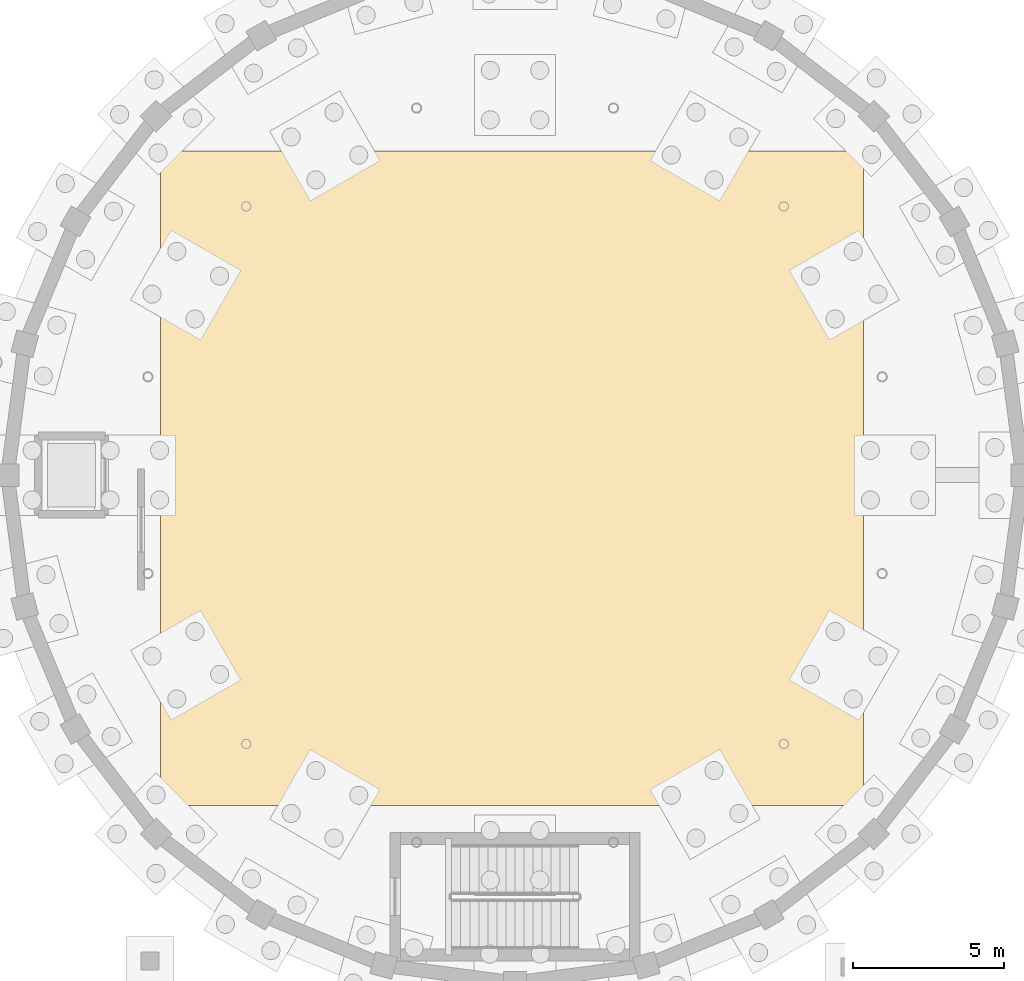
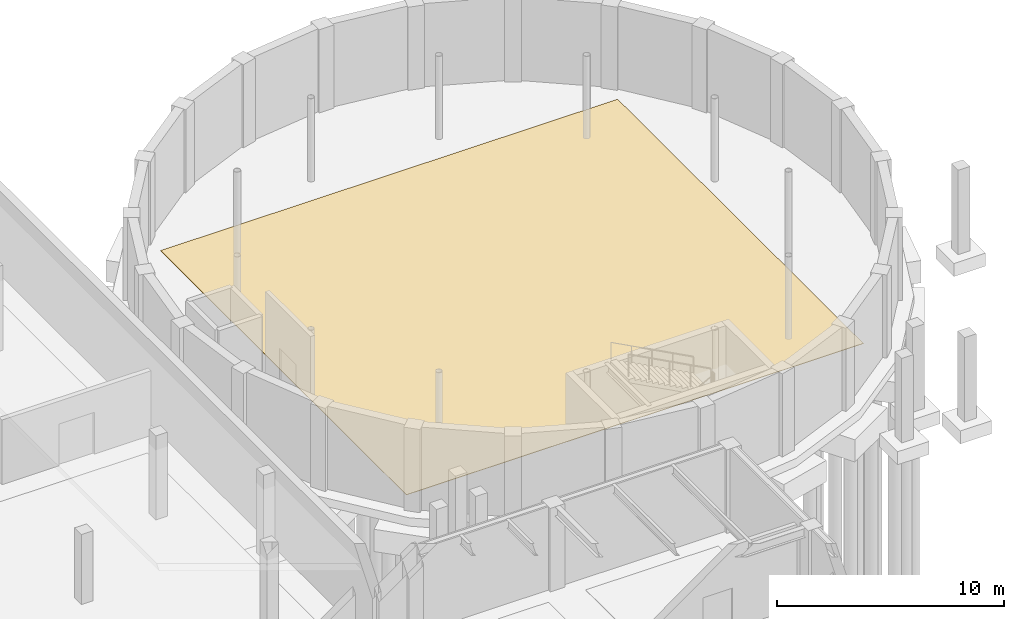
# One storey, part 25 of 26: 1 covering.
"""IFC4 building model written with IfcOpenShell, lengths in metres."""

import ifcopenshell
import ifcopenshell.guid

model = None  # the IFC model being written
_history = None  # IfcOwnerHistory: only IFC2X3 demands one
_inside = {}  # id of a spatial element -> (the spatial element, [elements in it])
_under = {}  # id of a project, library or spatial element -> (it, [spatial elements below it])
_declared = {}  # id of a project -> (the project, [libraries it declares])
_typed = {}  # id of a type object -> (the type object, [elements of that type])
_made_of = {}  # id of a material, layer set ... -> (it, [elements and type objects made of it])


def new_model(schema):
    """Start an empty IFC model of exactly this schema.

    Asked for "IFC4X3", IfcOpenShell would pick the latest addendum, in which some entities
    have other attributes; the version numbers below select the first issue.
    IFC2X3 requires an IfcOwnerHistory on every rooted entity: one is made here for all.
    """
    global model, _history
    if schema == "IFC4X3":
        model = ifcopenshell.file(schema_version=(4, 3, 0, 0))
    else:
        model = ifcopenshell.file(schema=schema)
    _inside.clear()
    _under.clear()
    _declared.clear()
    _typed.clear()
    _made_of.clear()
    _history = None
    if model.schema == "IFC2X3":
        org = make("IfcOrganization", Name="unknown")
        user = make(
            "IfcPersonAndOrganization",
            ThePerson=make("IfcPerson", FamilyName="unknown"),
            TheOrganization=org,
        )
        app = make(
            "IfcApplication",
            ApplicationDeveloper=org,
            Version="unknown",
            ApplicationFullName="unknown",
            ApplicationIdentifier="unknown",
        )
        _history = make(
            "IfcOwnerHistory",
            OwningUser=user,
            OwningApplication=app,
            ChangeAction="ADDED",
            CreationDate=0,
        )
    return model


def make(cls, **values):
    """One entity of the class cls with the attributes given. An attribute that is None is left unset."""
    return model.create_entity(
        cls, **{name: value for name, value in values.items() if value is not None}
    )


def rooted(cls, **values):
    """An entity with a GlobalId (a new one), such as an element, a storey or a relation."""
    return make(cls, GlobalId=ifcopenshell.guid.new(), OwnerHistory=_history, **values)


def si_unit(unit_type, name, prefix=None):
    """IfcSIUnit, for example si_unit("LENGTHUNIT", "METRE", prefix="MILLI")."""
    return make("IfcSIUnit", UnitType=unit_type, Prefix=prefix, Name=name)


def assignment(units):
    """IfcUnitAssignment: the units of a project."""
    return None if units is None else make("IfcUnitAssignment", Units=units)


def point(xyz):
    """IfcCartesianPoint."""
    return None if xyz is None else make("IfcCartesianPoint", Coordinates=xyz)


def direction(xyz):
    """IfcDirection."""
    return None if xyz is None else make("IfcDirection", DirectionRatios=xyz)


def frame(location, z_axis=None, x_axis=None):
    """IfcAxis2Placement3D, a coordinate frame: its origin and axes. An axis left out is left unset."""
    return make(
        "IfcAxis2Placement3D",
        Location=point(location),
        Axis=direction(z_axis),
        RefDirection=direction(x_axis),
    )


def origin():
    """The frame at (0, 0, 0) with its axes left unset."""
    return frame((0.0, 0.0, 0.0))


def place(relative_to, where):
    """IfcLocalPlacement: puts the frame where relative to a parent placement (None: the world)."""
    return make(
        "IfcLocalPlacement", PlacementRelTo=relative_to, RelativePlacement=where
    )


def context(
    kind, dimensions, precision=None, world=None, true_north=None, identifier=None
):
    """IfcGeometricRepresentationContext, for example the 3D "Model" context."""
    return make(
        "IfcGeometricRepresentationContext",
        ContextIdentifier=identifier,
        ContextType=kind,
        CoordinateSpaceDimension=dimensions,
        Precision=precision,
        WorldCoordinateSystem=world,
        TrueNorth=true_north,
    )


def subcontext(parent, identifier, kind, view, scale=None):
    """IfcGeometricRepresentationSubContext, for example "Body" below "Model"."""
    return make(
        "IfcGeometricRepresentationSubContext",
        ContextIdentifier=identifier,
        ContextType=kind,
        ParentContext=parent,
        TargetScale=scale,
        TargetView=view,
    )


def project(units=None, contexts=None):
    """IfcProject with its units and contexts."""
    return rooted(
        "IfcProject",
        Name="project",
        RepresentationContexts=contexts,
        UnitsInContext=assignment(units),
    )


def spatial(cls, under=None, at=None, **own):
    """A site, building, storey or space (cls), placed at a placement, below another one or the project."""
    s = rooted(cls, ObjectPlacement=at, **own)
    if under is not None:
        _under.setdefault(under.id(), (under, []))[1].append(s)
    return s


def polyline(points):
    """IfcPolyline through the points."""
    return make("IfcPolyline", Points=[point(p) for p in points])


def outline(outer, holes=None, kind="AREA"):
    """IfcArbitraryClosedProfileDef: a profile drawn as a closed curve; with holes, ...WithVoids."""
    if holes is None:
        return make("IfcArbitraryClosedProfileDef", ProfileType=kind, OuterCurve=outer)
    return make(
        "IfcArbitraryProfileDefWithVoids",
        ProfileType=kind,
        OuterCurve=outer,
        InnerCurves=holes,
    )


def extrude(swept, where, along, depth):
    """IfcExtrudedAreaSolid: the profile swept, set in the frame where, extruded along a direction by depth."""
    return make(
        "IfcExtrudedAreaSolid",
        SweptArea=swept,
        Position=where,
        ExtrudedDirection=direction(along),
        Depth=depth,
    )


def shape(context_of_items, identifier, shape_type, items):
    """IfcShapeRepresentation: the items that make up one representation, for example the "Body"."""
    return make(
        "IfcShapeRepresentation",
        ContextOfItems=context_of_items,
        RepresentationIdentifier=identifier,
        RepresentationType=shape_type,
        Items=items,
    )


def material(Name=None, Category=None):
    """IfcMaterial."""
    return make("IfcMaterial", Name=Name, Category=Category)


def layer(
    of_material, thickness, ventilated=None, Name=None, Category=None, Priority=None
):
    """IfcMaterialLayer: one layer of a wall or slab, of a material (None: an air gap)."""
    return make(
        "IfcMaterialLayer",
        Material=of_material,
        LayerThickness=thickness,
        IsVentilated=ventilated,
        Name=Name,
        Category=Category,
        Priority=Priority,
    )


def layer_set(layers, Name=None):
    """IfcMaterialLayerSet."""
    return make("IfcMaterialLayerSet", MaterialLayers=layers, LayerSetName=Name)


def made_of(thing, what):
    """Note that an element or type object is made of a material, layer set ...; save() writes the relation."""
    if what is not None:
        _made_of.setdefault(what.id(), (what, []))[1].append(thing)
    return thing


def type_object(cls, material=None, **own):
    """A type object (cls), such as IfcWallType, which elements share."""
    return made_of(rooted(cls, **own), material)


def element(
    cls,
    number,
    at=None,
    inside=None,
    cuts=None,
    type_object=None,
    material=None,
    context=None,
    identifier="Body",
    shape_type=None,
    held_by="IfcProductDefinitionShape",
    body=None,
    shapes=None,
    **own,
):
    """One element of the class cls, such as IfcWall. Its Tag is "e" and its number.

    at: its placement. inside: the storey or other place that contains it. cuts: it is an
    opening in that element (IfcRelVoidsElement). A single representation is given by context,
    identifier, shape_type and body (its items); several are given by shapes. held_by: the class
    of the entity that holds the representations. save() writes the other relations.
    """
    e = rooted(cls, Tag="e%d" % number, ObjectPlacement=at, **own)
    if body is not None:
        shapes = [shape(context, identifier, shape_type, body)]
    if shapes is not None:
        e.Representation = make(held_by, Representations=shapes)
    if inside is not None:
        _inside.setdefault(inside.id(), (inside, []))[1].append(e)
    if cuts is not None:
        rooted(
            "IfcRelVoidsElement", RelatingBuildingElement=cuts, RelatedOpeningElement=e
        )
    if type_object is not None:
        _typed.setdefault(type_object.id(), (type_object, []))[1].append(e)
    return made_of(e, material)


def aggregate(whole, parts):
    """IfcRelAggregates: a whole, such as a stair, and the parts it consists of."""
    return rooted("IfcRelAggregates", RelatingObject=whole, RelatedObjects=parts)


def save(model, path):
    """Write the relations noted so far, then the file.

    IfcRelAggregates (storeys below a building ...), IfcRelContainedInSpatialStructure (elements
    in a storey), IfcRelDefinesByType, IfcRelAssociatesMaterial and IfcRelDeclares: one each for
    every whole, place, type object, material and project.
    """
    for whole, parts in _under.values():
        aggregate(whole, parts)
    for where, things in _inside.values():
        rooted(
            "IfcRelContainedInSpatialStructure",
            RelatedElements=things,
            RelatingStructure=where,
        )
    for kind, things in _typed.values():
        rooted("IfcRelDefinesByType", RelatedObjects=things, RelatingType=kind)
    for what, things in _made_of.values():
        rooted("IfcRelAssociatesMaterial", RelatedObjects=things, RelatingMaterial=what)
    for by, libraries in _declared.values():
        rooted("IfcRelDeclares", RelatingContext=by, RelatedDefinitions=libraries)
    model.write(path)


model = new_model("IFC4")

# Units and contexts
model_context = context("Model", 3, precision=1e-05, world=origin(), true_north=direction((0.0, 1.0)))
body_context = subcontext(model_context, "Body", "Model", "MODEL_VIEW")
ifc_project = project(units=[si_unit("LENGTHUNIT", "METRE"), si_unit("AREAUNIT", "SQUARE_METRE"), si_unit("VOLUMEUNIT", "CUBIC_METRE"), si_unit("PLANEANGLEUNIT", "RADIAN"), si_unit("MASSUNIT", "GRAM", prefix="KILO")], contexts=[model_context])

# Site, building, storey
site_placement = place(None, origin())
site = spatial("IfcSite", under=ifc_project, at=site_placement, CompositionType="ELEMENT")
building_placement = place(site_placement, origin())
building = spatial("IfcBuilding", under=site, at=building_placement, Name="Kandorven Conservatory and Botanical Research Centre", CompositionType="ELEMENT")
storey_placement = place(building_placement, frame((0.0, 0.0, -4.800048828125)))
storey = spatial("IfcBuildingStorey", under=building, at=storey_placement, Name="B01", CompositionType="ELEMENT", Elevation=-4.800048828125)

# Covering
ifc_material = material(Name="Honed Kota stone and epoxy laboratory flooring", Category="masonry")
ifc_layer = layer(ifc_material, 0.02490234375)
ifc_layer_set = layer_set([ifc_layer], Name="Honed Kota stone and epoxy laboratory flooring")
covering_type = type_object("IfcCoveringType", Name="Cov_Flooring_1", PredefinedType="FLOORING", material=ifc_layer_set)
covering_placement = place(storey_placement, origin())
element("IfcCovering", 1, at=covering_placement, inside=storey, type_object=covering_type, Name="Floor finish FLR-01 (Monsoon Rainwater Harvesting Cistern and Filtration Plant)", PredefinedType="FLOORING", context=body_context, shape_type="SweptSolid", body=[
    extrude(outline(polyline([(75.85009765625, 36.85009765625), (99.14990234375, 36.85009765625), (99.14990234375, 58.550048828125), (75.85009765625, 58.550048828125), (75.85009765625, 36.85009765625)])), origin(), (0.0, 0.0, 1.0), 0.025146484375),
])

save(model, "model.ifc")
